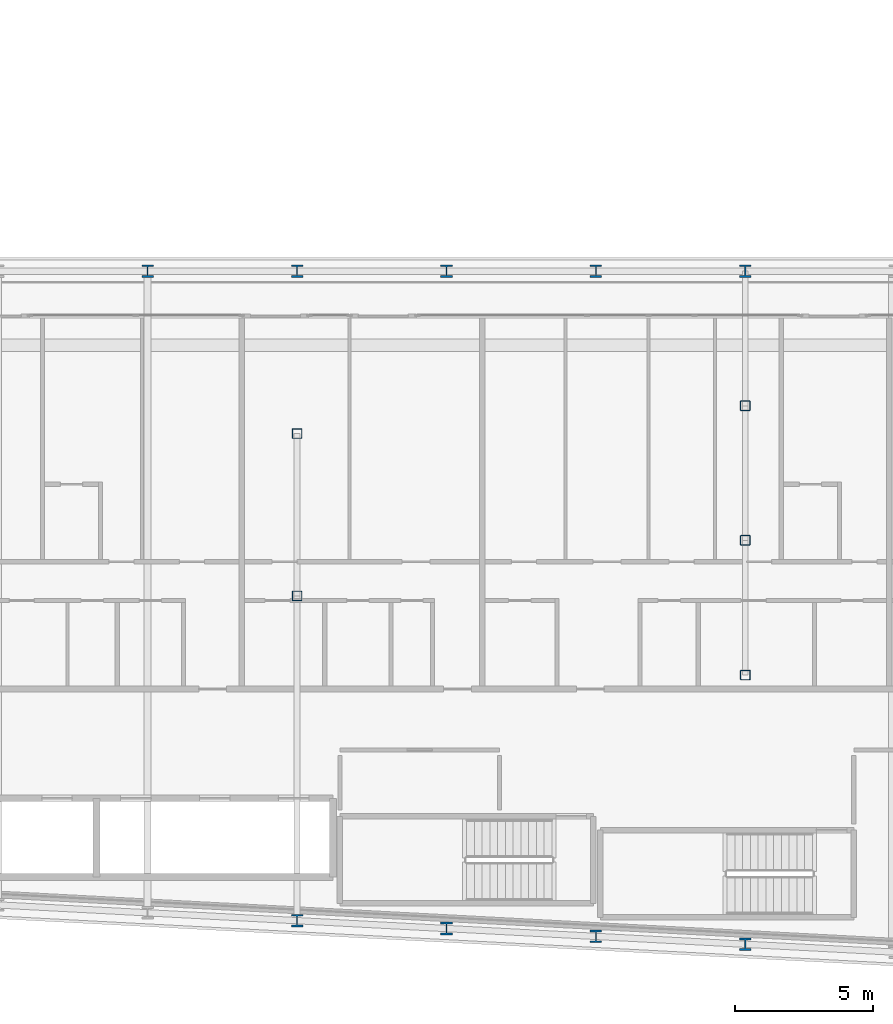
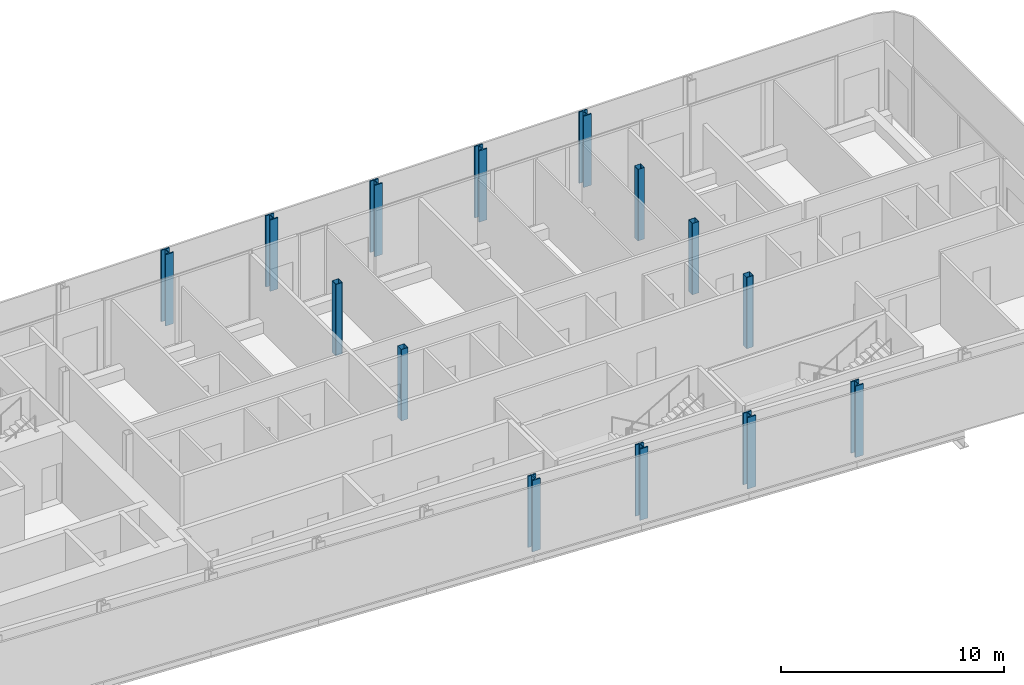
# One storey, part 2 of 25: 14 columns.
"""IFC4 building model written with IfcOpenShell, lengths in metres."""

from ifc_helpers import new_model, si_unit, direction, frame, origin, origin_2d, place, context, subcontext, project, spatial, hollow_rectangle, i_section, extrude, material, material_profile, profile_set, type_object, element, save


model = new_model("IFC4")

# Units and contexts
model_context = context("Model", 3, precision=1e-05, world=origin(), true_north=direction((0.0, 1.0)))
body_context = subcontext(model_context, "Body", "Model", "MODEL_VIEW")
ifc_project = project(units=[si_unit("LENGTHUNIT", "METRE"), si_unit("AREAUNIT", "SQUARE_METRE"), si_unit("VOLUMEUNIT", "CUBIC_METRE"), si_unit("PLANEANGLEUNIT", "RADIAN"), si_unit("MASSUNIT", "GRAM", prefix="KILO")], contexts=[model_context])

# Site, building, storey
site_placement = place(None, origin())
site = spatial("IfcSite", under=ifc_project, at=site_placement, CompositionType="ELEMENT")
building_placement = place(site_placement, origin())
building = spatial("IfcBuilding", under=site, at=building_placement, Name="Kheshtan School and Residences Tower", CompositionType="ELEMENT")
storey_placement = place(building_placement, frame((0.0, 0.0, 113.60009765625)))
storey = spatial("IfcBuildingStorey", under=building, at=storey_placement, Name="L26", CompositionType="ELEMENT", Elevation=113.60009765625)

# Columns
ifc_material_1 = material(Name="Steel ASTM A992 Grade 50", Category="steel")
ifc_material_profile_1 = material_profile(ifc_material_1, i_section(OverallWidth=0.41796875, OverallDepth=0.455078125, WebThickness=0.042236328125, FlangeThickness=0.067626953125, FilletRadius=0.013671875, at=origin_2d()), Name="W360x551")
ifc_profile_set_1 = profile_set([ifc_material_profile_1], Name="Steel ASTM A992 Grade 50")
column_type_1 = type_object("IfcColumnType", Name="Column C2 W360x551 ASTM A992 Grade 50", PredefinedType="COLUMN", material=ifc_profile_set_1)
for number, where, z_axis, x_axis, name in (
    (1, (85.39990234375, 21.27392578125, 0.0), (0.0, 0.0, 1.0), (1.0, 0.0, 0.0), "Column C008"),
    (2, (80.0, 21.55810546875, 0.0), (0.0, 0.0, 1.0), (1.0, 0.0, 0.0), "Column C012"),
    (3, (74.60009765625, 21.843017578125, 0.0), (0.0, 0.0, 1.0), (1.0, 0.0, 0.0), "Column C013"),
    (4, (69.199951171875, 22.126953125, 0.0), (0.0, 0.0, 1.0), (1.0, 0.0, 0.0), "Column C014"),
    (5, (63.800048828125, 45.60009765625, 0.0), (0.0, 0.0, 1.0), (1.0, 0.0, 0.0), "Column C063"),
    (6, (69.199951171875, 45.60009765625, 0.0), (0.0, 0.0, 1.0), (1.0, 0.0, 0.0), "Column C064"),
    (7, (74.60009765625, 45.60009765625, 0.0), (0.0, 0.0, 1.0), (1.0, 0.0, 0.0), "Column C065"),
    (8, (80.0, 45.60009765625, 0.0), (0.0, 0.0, 1.0), (1.0, 0.0, 0.0), "Column C066"),
    (9, (85.39990234375, 45.60009765625, 0.0), (0.0, 0.0, 1.0), (1.0, 0.0, 0.0), "Column C067"),
):
    element("IfcColumn", number, at=place(storey_placement, frame(where, z_axis=z_axis, x_axis=x_axis)), inside=storey, type_object=column_type_1, Name=name, PredefinedType="COLUMN", context=body_context, shape_type="SweptSolid", body=[
        extrude(i_section(OverallWidth=0.41796875, OverallDepth=0.455078125, WebThickness=0.042236328125, FlangeThickness=0.067626953125, FilletRadius=0.013671875, at=origin_2d()), origin(), (0.0, 0.0, 1.0), 3.89990234375),
    ])
ifc_material_2 = material(Name="Steel ASTM A500 Grade C", Category="steel")
ifc_material_profile_2 = material_profile(ifc_material_2, hollow_rectangle(XDim=0.35595703125, YDim=0.35595703125, WallThickness=0.015869140625, InnerFilletRadius=0.015869140625, OuterFilletRadius=0.03173828125, at=origin_2d()), Name="HSS 356x356x15.9")
ifc_profile_set_2 = profile_set([ifc_material_profile_2], Name="Steel ASTM A500 Grade C")
column_type_2 = type_object("IfcColumnType", Name="Column IC1 HSS 356x356x15.9 ASTM A500 Grade C", PredefinedType="COLUMN", material=ifc_profile_set_2)
for number, where, z_axis, x_axis, name in (
    (10, (85.39990234375, 31.0048828125, 0.0), (0.0, 0.0, 1.0), (1.0, 0.0, 0.0), "Column C049"),
    (11, (69.199951171875, 33.863037109375, 0.0), (0.0, 0.0, 1.0), (1.0, 0.0, 0.0), "Column C050"),
    (12, (85.39990234375, 35.8701171875, 0.0), (0.0, 0.0, 1.0), (1.0, 0.0, 0.0), "Column C053"),
    (13, (69.199951171875, 39.73193359375, 0.0), (0.0, 0.0, 1.0), (1.0, 0.0, 0.0), "Column C054"),
    (14, (85.39990234375, 40.735107421875, 0.0), (0.0, 0.0, 1.0), (1.0, 0.0, 0.0), "Column C057"),
):
    element("IfcColumn", number, at=place(storey_placement, frame(where, z_axis=z_axis, x_axis=x_axis)), inside=storey, type_object=column_type_2, Name=name, PredefinedType="COLUMN", context=body_context, shape_type="SweptSolid", body=[
        extrude(hollow_rectangle(XDim=0.35595703125, YDim=0.35595703125, WallThickness=0.015869140625, InnerFilletRadius=0.015869140625, OuterFilletRadius=0.03173828125, at=origin_2d()), origin(), (0.0, 0.0, 1.0), 3.89990234375),
    ])

save(model, "model.ifc")
